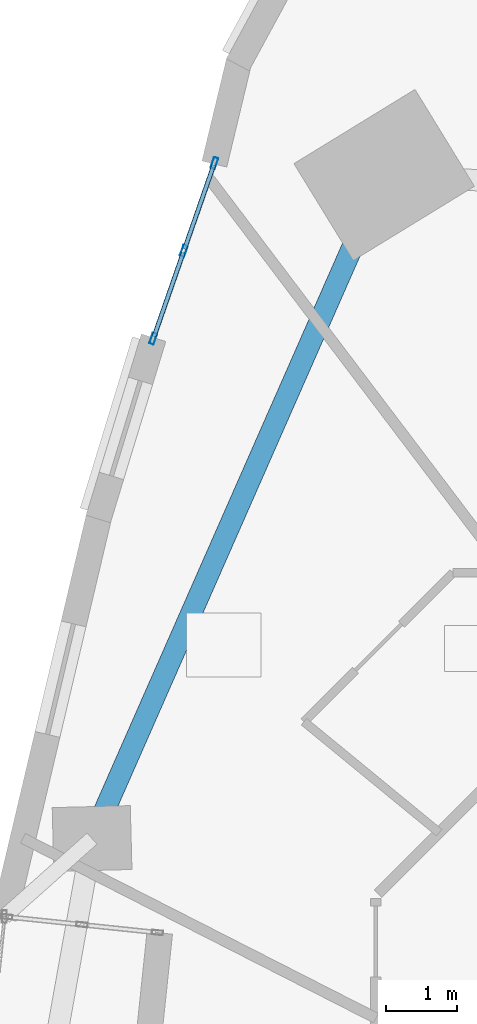
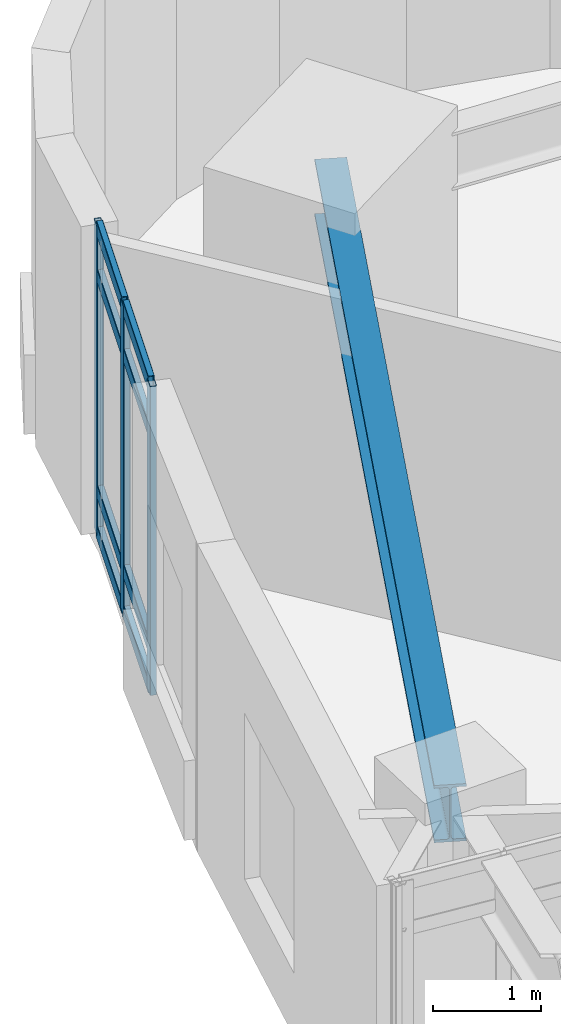
# One storey, part 7 of 16: 11 members, 1 beam, 1 element without a shape of its own.
"""IFC4 building model written with IfcOpenShell, lengths in metres."""

from ifc_helpers import new_model, si_unit, direction, frame, origin, origin_2d, place, context, subcontext, project, spatial, hollow_rectangle, i_section, extrude, material, layer, layer_set, material_profile, profile_set, type_object, element, aggregate, save


model = new_model("IFC4")

# Units and contexts
model_context = context("Model", 3, precision=1e-05, world=origin(), true_north=direction((0.0, 1.0)))
body_context = subcontext(model_context, "Body", "Model", "MODEL_VIEW")
ifc_project = project(units=[si_unit("LENGTHUNIT", "METRE"), si_unit("AREAUNIT", "SQUARE_METRE"), si_unit("VOLUMEUNIT", "CUBIC_METRE"), si_unit("PLANEANGLEUNIT", "RADIAN"), si_unit("MASSUNIT", "GRAM", prefix="KILO")], contexts=[model_context])

# Site, building, storey
site_placement = place(None, origin())
site = spatial("IfcSite", under=ifc_project, at=site_placement, CompositionType="ELEMENT")
building_placement = place(site_placement, origin())
building = spatial("IfcBuilding", under=site, at=building_placement, Name="Ndelora Gate Hotel", CompositionType="ELEMENT")
storey_placement = place(building_placement, frame((0.0, 0.0, 97.25)))
storey = spatial("IfcBuildingStorey", under=building, at=storey_placement, Name="L23", CompositionType="ELEMENT", Elevation=97.25)

# Beam
ifc_material_1 = material(Name="Steel S355", Category="steel")
ifc_material_profile_1 = material_profile(ifc_material_1, i_section(OverallWidth=0.300048828125, OverallDepth=0.64990234375, WebThickness=0.01611328125, FlangeThickness=0.031005859375, FilletRadius=0.027099609375, at=origin_2d()), Name="HEB 650")
ifc_profile_set_1 = profile_set([ifc_material_profile_1], Name="Steel S355")
beam_type = type_object("IfcBeamType", Name="BM-RING-650", PredefinedType="SPANDREL", material=ifc_profile_set_1)
beam_placement = place(storey_placement, frame((-10.63330078125, 17.351806640625, 3.175048828125), z_axis=(-0.402852396707, -0.915264959707, 0.0), x_axis=(0.915264959707, -0.402852396707, 0.0)))
element("IfcBeam", 1, at=beam_placement, inside=storey, type_object=beam_type, Name="L23 Perimeter Spandrel Girder 1", PredefinedType="SPANDREL", context=body_context, shape_type="SweptSolid", body=[
    extrude(i_section(OverallWidth=0.300048828125, OverallDepth=0.64990234375, WebThickness=0.01611328125, FlangeThickness=0.031005859375, FilletRadius=0.027099609375, at=origin_2d()), origin(), (0.0, 0.0, 1.0), 10.21044921875),
])

# Curtain wall, members
ifc_material_2 = material(Name="Bronze Anodised Unitised Aluminium and Low-E Glass", Category="aluminium")
ifc_layer = layer(ifc_material_2, 0.2099609375)
ifc_layer_set = layer_set([ifc_layer], Name="Bronze Anodised Unitised Aluminium and Low-E Glass")
curtain_wall_type = type_object("IfcCurtainWallType", Name="CW-SYS-4", PredefinedType="NOTDEFINED", material=ifc_layer_set)
curtain_wall_placement = place(storey_placement, origin())
curtain_wall = element("IfcCurtainWall", 2, at=curtain_wall_placement, inside=storey, type_object=curtain_wall_type, Name="L23 Lower Sky-Lobby & Highland Spa Curtain Wall 1", PredefinedType="NOTDEFINED")
ifc_material_3 = material(Name="Bronze Anodised Aluminium 6063-T6", Category="aluminium")
ifc_material_profile_2 = material_profile(ifc_material_3, hollow_rectangle(XDim=0.06494140625, YDim=0.159912109375, WallThickness=0.00390625, InnerFilletRadius=0.00390625, OuterFilletRadius=0.008056640625, at=origin_2d()), Name="ALU 160x65x4")
ifc_profile_set_2 = profile_set([ifc_material_profile_2], Name="Bronze Anodised Aluminium 6063-T6")
member_type_1 = type_object("IfcMemberType", Name="MB-CW-MUL150", PredefinedType="MULLION", material=ifc_profile_set_2)
member_1_placement = place(storey_placement, frame((-13.023193359375, 17.518798828125, -0.00390625), z_axis=(0.0, 0.0, 1.0), x_axis=(0.944327137508, -0.329007989822, 0.0)))
member_1 = element("IfcMember", 3, at=member_1_placement, type_object=member_type_1, Name="CW4 mullion 1", PredefinedType="MULLION", context=body_context, shape_type="SweptSolid", body=[
    extrude(hollow_rectangle(XDim=0.06494140625, YDim=0.159912109375, WallThickness=0.00390625, InnerFilletRadius=0.00390625, OuterFilletRadius=0.008056640625, at=origin_2d()), origin(), (0.0, 0.0, 1.0), 3.5078125),
])
member_2_placement = place(storey_placement, frame((-13.45361328125, 16.283203125, -0.00390625), z_axis=(0.0, 0.0, 1.0), x_axis=(0.944327137508, -0.329007989822, 0.0)))
member_2 = element("IfcMember", 4, at=member_2_placement, type_object=member_type_1, Name="CW4 mullion 2", PredefinedType="MULLION", context=body_context, shape_type="SweptSolid", body=[
    extrude(hollow_rectangle(XDim=0.06494140625, YDim=0.159912109375, WallThickness=0.00390625, InnerFilletRadius=0.00390625, OuterFilletRadius=0.008056640625, at=origin_2d()), origin(), (0.0, 0.0, 1.0), 3.5078125),
])
member_3_placement = place(storey_placement, frame((-13.884033203125, 15.0478515625, -0.00390625), z_axis=(0.0, 0.0, 1.0), x_axis=(0.944327137508, -0.329007989822, 0.0)))
member_3 = element("IfcMember", 5, at=member_3_placement, type_object=member_type_1, Name="CW4 mullion 3", PredefinedType="MULLION", context=body_context, shape_type="SweptSolid", body=[
    extrude(hollow_rectangle(XDim=0.06494140625, YDim=0.159912109375, WallThickness=0.00390625, InnerFilletRadius=0.00390625, OuterFilletRadius=0.008056640625, at=origin_2d()), origin(), (0.0, 0.0, 1.0), 3.5078125),
])
ifc_material_profile_3 = material_profile(ifc_material_3, hollow_rectangle(XDim=0.06494140625, YDim=0.159912109375, WallThickness=0.00390625, InnerFilletRadius=0.00390625, OuterFilletRadius=0.008056640625, at=origin_2d()), Name="ALU 160x65x4")
ifc_profile_set_3 = profile_set([ifc_material_profile_3], Name="Bronze Anodised Aluminium 6063-T6")
member_type_2 = type_object("IfcMemberType", Name="MB-CW-TRN150", PredefinedType="USERDEFINED", material=ifc_profile_set_3)
member_4_placement = place(storey_placement, frame((-13.03173828125, 17.493896484375, 0.032470703125), z_axis=(-0.329033463592, -0.944318261942, 0.0), x_axis=(0.944318261942, -0.329033463592, 0.0)))
member_4 = element("IfcMember", 6, at=member_4_placement, type_object=member_type_2, Name="CW4 transom 1.1", ObjectType="TRANSOM", PredefinedType="USERDEFINED", context=body_context, shape_type="SweptSolid", body=[
    extrude(hollow_rectangle(XDim=0.06494140625, YDim=0.159912109375, WallThickness=0.00390625, InnerFilletRadius=0.00390625, OuterFilletRadius=0.008056640625, at=origin_2d()), origin(), (0.0, 0.0, 1.0), 1.25537109375),
])
member_5_placement = place(storey_placement, frame((-13.03173828125, 17.493896484375, 0.5), z_axis=(-0.329033463592, -0.944318261942, 0.0), x_axis=(0.944318261942, -0.329033463592, 0.0)))
member_5 = element("IfcMember", 7, at=member_5_placement, type_object=member_type_2, Name="CW4 transom 1.2", ObjectType="TRANSOM", PredefinedType="USERDEFINED", context=body_context, shape_type="SweptSolid", body=[
    extrude(hollow_rectangle(XDim=0.06494140625, YDim=0.159912109375, WallThickness=0.00390625, InnerFilletRadius=0.00390625, OuterFilletRadius=0.008056640625, at=origin_2d()), origin(), (0.0, 0.0, 1.0), 1.25537109375),
])
member_6_placement = place(storey_placement, frame((-13.03173828125, 17.493896484375, 2.949951171875), z_axis=(-0.329033463592, -0.944318261942, 0.0), x_axis=(0.944318261942, -0.329033463592, 0.0)))
member_6 = element("IfcMember", 8, at=member_6_placement, type_object=member_type_2, Name="CW4 transom 1.3", ObjectType="TRANSOM", PredefinedType="USERDEFINED", context=body_context, shape_type="SweptSolid", body=[
    extrude(hollow_rectangle(XDim=0.06494140625, YDim=0.159912109375, WallThickness=0.00390625, InnerFilletRadius=0.00390625, OuterFilletRadius=0.008056640625, at=origin_2d()), origin(), (0.0, 0.0, 1.0), 1.25537109375),
])
member_7_placement = place(storey_placement, frame((-13.03173828125, 17.493896484375, 3.467529296875), z_axis=(-0.329033463592, -0.944318261942, 0.0), x_axis=(0.944318261942, -0.329033463592, 0.0)))
member_7 = element("IfcMember", 9, at=member_7_placement, type_object=member_type_2, Name="CW4 transom 1.4", ObjectType="TRANSOM", PredefinedType="USERDEFINED", context=body_context, shape_type="SweptSolid", body=[
    extrude(hollow_rectangle(XDim=0.06494140625, YDim=0.159912109375, WallThickness=0.00390625, InnerFilletRadius=0.00390625, OuterFilletRadius=0.008056640625, at=origin_2d()), origin(), (0.0, 0.0, 1.0), 1.25537109375),
])
member_8_placement = place(storey_placement, frame((-13.462158203125, 16.25830078125, 0.032470703125), z_axis=(-0.329033463592, -0.944318261942, 0.0), x_axis=(0.944318261942, -0.329033463592, 0.0)))
member_8 = element("IfcMember", 10, at=member_8_placement, type_object=member_type_2, Name="CW4 transom 2.1", ObjectType="TRANSOM", PredefinedType="USERDEFINED", context=body_context, shape_type="SweptSolid", body=[
    extrude(hollow_rectangle(XDim=0.06494140625, YDim=0.159912109375, WallThickness=0.00390625, InnerFilletRadius=0.00390625, OuterFilletRadius=0.008056640625, at=origin_2d()), origin(), (0.0, 0.0, 1.0), 1.25537109375),
])
member_9_placement = place(storey_placement, frame((-13.462158203125, 16.25830078125, 0.5), z_axis=(-0.329033463592, -0.944318261942, 0.0), x_axis=(0.944318261942, -0.329033463592, 0.0)))
member_9 = element("IfcMember", 11, at=member_9_placement, type_object=member_type_2, Name="CW4 transom 2.2", ObjectType="TRANSOM", PredefinedType="USERDEFINED", context=body_context, shape_type="SweptSolid", body=[
    extrude(hollow_rectangle(XDim=0.06494140625, YDim=0.159912109375, WallThickness=0.00390625, InnerFilletRadius=0.00390625, OuterFilletRadius=0.008056640625, at=origin_2d()), origin(), (0.0, 0.0, 1.0), 1.25537109375),
])
member_10_placement = place(storey_placement, frame((-13.462158203125, 16.25830078125, 2.949951171875), z_axis=(-0.329033463592, -0.944318261942, 0.0), x_axis=(0.944318261942, -0.329033463592, 0.0)))
member_10 = element("IfcMember", 12, at=member_10_placement, type_object=member_type_2, Name="CW4 transom 2.3", ObjectType="TRANSOM", PredefinedType="USERDEFINED", context=body_context, shape_type="SweptSolid", body=[
    extrude(hollow_rectangle(XDim=0.06494140625, YDim=0.159912109375, WallThickness=0.00390625, InnerFilletRadius=0.00390625, OuterFilletRadius=0.008056640625, at=origin_2d()), origin(), (0.0, 0.0, 1.0), 1.25537109375),
])
member_11_placement = place(storey_placement, frame((-13.462158203125, 16.25830078125, 3.467529296875), z_axis=(-0.329033463592, -0.944318261942, 0.0), x_axis=(0.944318261942, -0.329033463592, 0.0)))
member_11 = element("IfcMember", 13, at=member_11_placement, type_object=member_type_2, Name="CW4 transom 2.4", ObjectType="TRANSOM", PredefinedType="USERDEFINED", context=body_context, shape_type="SweptSolid", body=[
    extrude(hollow_rectangle(XDim=0.06494140625, YDim=0.159912109375, WallThickness=0.00390625, InnerFilletRadius=0.00390625, OuterFilletRadius=0.008056640625, at=origin_2d()), origin(), (0.0, 0.0, 1.0), 1.25537109375),
])
aggregate(curtain_wall, [member_1, member_2, member_3, member_4, member_5, member_6, member_7, member_8, member_9, member_10, member_11])

save(model, "model.ifc")
